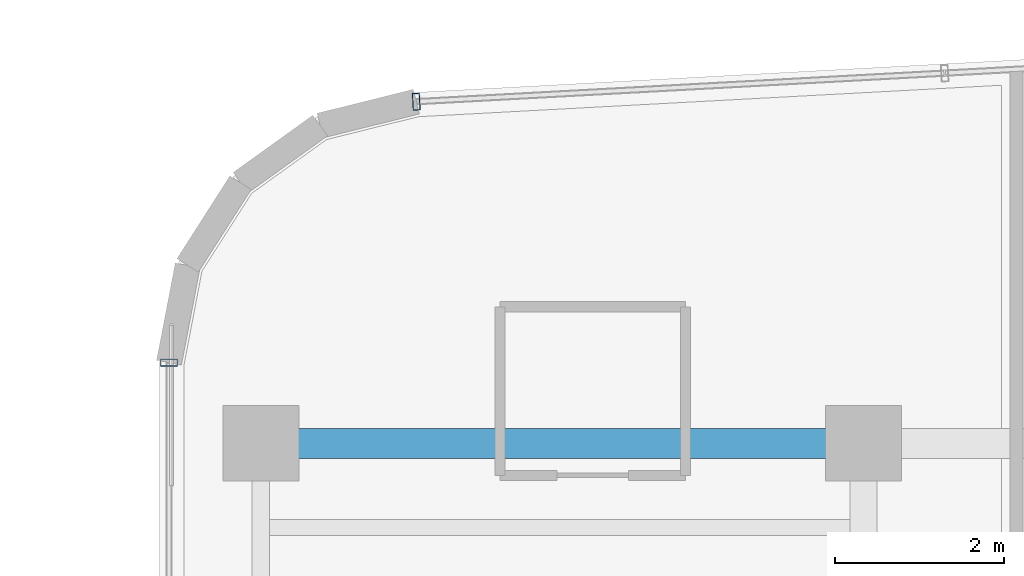
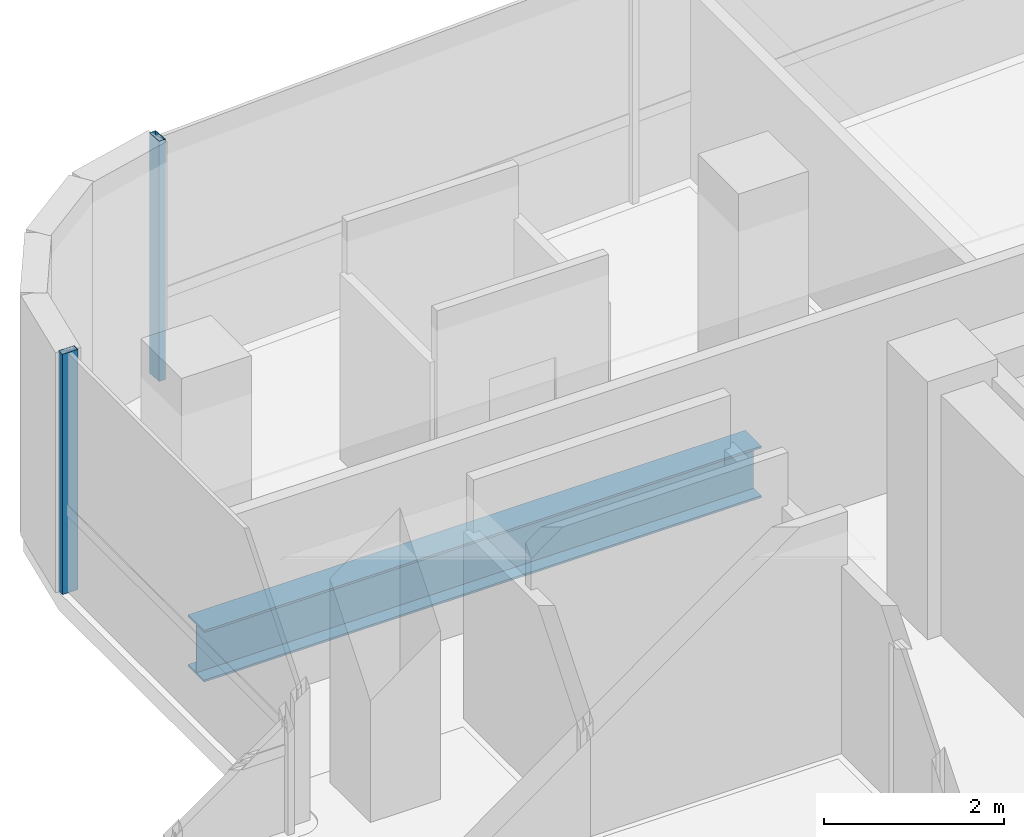
# One storey, part 11 of 22: 2 members, 1 beam, 2 elements without a shape of their own.
"""IFC4 building model written with IfcOpenShell, lengths in metres."""

from ifc_helpers import new_model, si_unit, direction, frame, origin, origin_2d, place, context, subcontext, project, spatial, hollow_rectangle, i_section, extrude, source, transform, mapped, material, material_profile, profile_set, type_object, element, aggregate, save


model = new_model("IFC4")

# Units and contexts
model_context = context("Model", 3, precision=1e-05, world=origin(), true_north=direction((0.0, 1.0)))
body_context = subcontext(model_context, "Body", "Model", "MODEL_VIEW")
ifc_project = project(units=[si_unit("LENGTHUNIT", "METRE"), si_unit("AREAUNIT", "SQUARE_METRE"), si_unit("VOLUMEUNIT", "CUBIC_METRE"), si_unit("PLANEANGLEUNIT", "RADIAN"), si_unit("MASSUNIT", "GRAM", prefix="KILO")], contexts=[model_context])

# Site, building, storey
site_placement = place(None, origin())
site = spatial("IfcSite", under=ifc_project, at=site_placement, CompositionType="ELEMENT")
building_placement = place(site_placement, origin())
building = spatial("IfcBuilding", under=site, at=building_placement, Name="Valdorenza Pilgrim Sanctuary Tower", CompositionType="ELEMENT")
storey_placement = place(building_placement, frame((0.0, 0.0, 212.5)))
storey = spatial("IfcBuildingStorey", under=building, at=storey_placement, Name="L54", CompositionType="ELEMENT", Elevation=212.5)

# Beam
ifc_material_1 = material(Name="Steel ASTM A992 Grade 50", Category="steel")
ifc_material_profile_1 = material_profile(ifc_material_1, i_section(OverallWidth=0.35595703125, OverallDepth=0.700927734375, WebThickness=0.016845703125, FlangeThickness=0.02734375, at=origin_2d()), Name="W27X161")
ifc_profile_set_1 = profile_set([ifc_material_profile_1], Name="Steel ASTM A992 Grade 50")
beam_type = type_object("IfcBeamType", Name="STR-BM-GRD-W27", PredefinedType="BEAM", material=ifc_profile_set_1)
shared_shape_1 = source(origin(), body_context, "Body", "SweptSolid", [
    extrude(i_section(OverallWidth=0.35595703125, OverallDepth=0.700927734375, WebThickness=0.016845703125, FlangeThickness=0.02734375, at=origin_2d()), origin(), (0.0, 0.0, 1.0), 7.150146484375),
])
beam_placement = place(storey_placement, frame((-29.800048828125, 14.800048828125, -0.590576171875), z_axis=(1.0, 0.0, 0.0), x_axis=(0.0, 1.0, 0.0)))
element("IfcBeam", 1, at=beam_placement, inside=storey, type_object=beam_type, Name="L54 Floor Girder WA-XW-N2", PredefinedType="BEAM", context=body_context, shape_type="MappedRepresentation", body=[
    mapped(shared_shape_1, transform((0.0, 0.0, 0.0), x_axis=(1.0, 0.0, 0.0), y_axis=(0.0, 1.0, 0.0), z_axis=(0.0, 0.0, 1.0), scale=1.0)),
])

# Curtain wall, member
ifc_material_2 = material(Name="Curtain-wall IGU glazing", Category="glass")
curtain_wall_type = type_object("IfcCurtainWallType", Name="CW-SYS-02", PredefinedType="NOTDEFINED", material=ifc_material_2)
curtain_wall_1_placement = place(storey_placement, origin())
curtain_wall_1 = element("IfcCurtainWall", 2, at=curtain_wall_1_placement, inside=storey, type_object=curtain_wall_type, Name="L54 Curtain Wall CW-L54-1-1S2", PredefinedType="NOTDEFINED")
ifc_material_3 = material(Name="Anodised aluminium AW-6060", Category="aluminium")
ifc_material_profile_2 = material_profile(ifc_material_3, hollow_rectangle(XDim=0.0849609375, YDim=0.199951171875, WallThickness=0.0048828125, at=origin_2d()), Name="ALU-M 200x85x5")
ifc_profile_set_2 = profile_set([ifc_material_profile_2], Name="Anodised aluminium AW-6060")
member_type = type_object("IfcMemberType", Name="CW-MUL-02", PredefinedType="MULLION", material=ifc_profile_set_2)
shared_shape_2 = source(origin(), body_context, "Body", "SweptSolid", [
    extrude(hollow_rectangle(XDim=0.0849609375, YDim=0.199951171875, WallThickness=0.0048828125, at=origin_2d()), origin(), (0.0, 0.0, 1.0), 3.260009765625),
])
member_1_placement = place(storey_placement, frame((-30.889892578125, 15.757568359375, 0.0), z_axis=(0.0, 0.0, 1.0), x_axis=(0.0, 1.0, 0.0)))
member_1 = element("IfcMember", 3, at=member_1_placement, type_object=member_type, Name="CW-L54-1-1S2 Mullion 2", PredefinedType="MULLION", context=body_context, shape_type="MappedRepresentation", body=[
    mapped(shared_shape_2, transform((0.0, 0.0, 0.0), x_axis=(1.0, 0.0, 0.0), y_axis=(0.0, 1.0, 0.0), z_axis=(0.0, 0.0, 1.0), scale=1.0)),
])
aggregate(curtain_wall_1, [member_1])

curtain_wall_2_placement = place(storey_placement, origin())
curtain_wall_2 = element("IfcCurtainWall", 4, at=curtain_wall_2_placement, inside=storey, type_object=curtain_wall_type, Name="L54 Curtain Wall CW-L54-1-6", PredefinedType="NOTDEFINED")
member_2_placement = place(storey_placement, frame((-27.9560546875, 18.85400390625, 0.0), z_axis=(0.0, 0.0, 1.0), x_axis=(0.998547034311, 0.053887106711, 0.0)))
member_2 = element("IfcMember", 5, at=member_2_placement, type_object=member_type, Name="CW-L54-1-6 Mullion 1", PredefinedType="MULLION", context=body_context, shape_type="MappedRepresentation", body=[
    mapped(shared_shape_2, transform((0.0, 0.0, 0.0), x_axis=(1.0, 0.0, 0.0), y_axis=(0.0, 1.0, 0.0), z_axis=(0.0, 0.0, 1.0), scale=1.0)),
])
aggregate(curtain_wall_2, [member_2])

save(model, "model.ifc")
